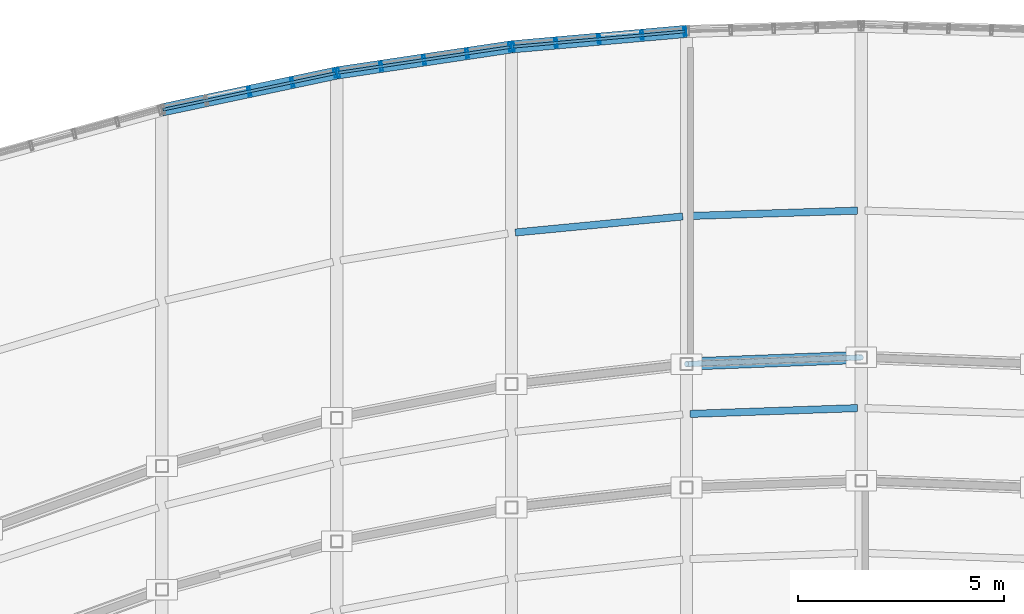
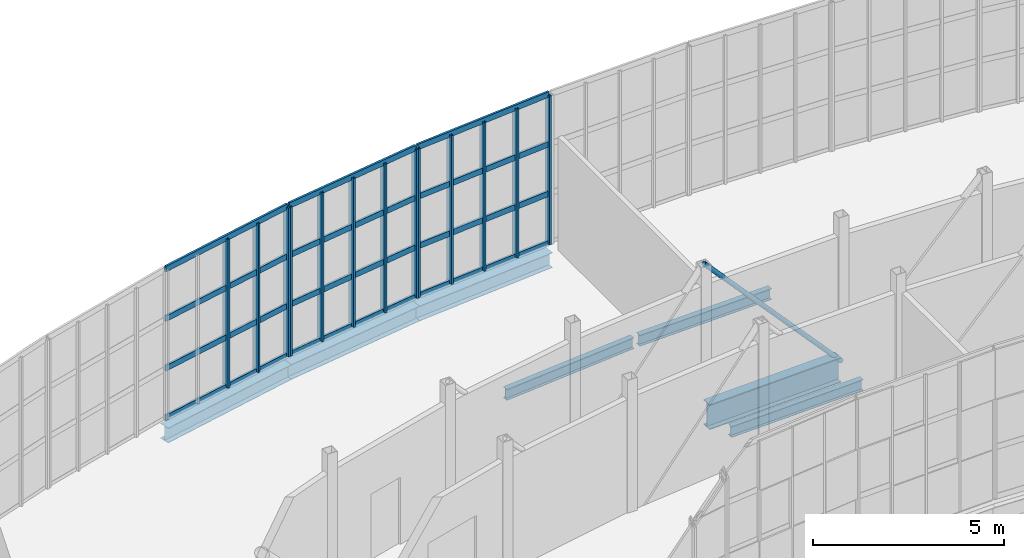
# One storey, part 27 of 46: 26 members, 7 beams, 3 elements without a shape of their own.
"""IFC4 building model written with IfcOpenShell, lengths in metres."""

from ifc_helpers import new_model, si_unit, direction, frame, origin, origin_2d, place, context, subcontext, project, spatial, hollow_rectangle, hollow_circle, i_section, extrude, material, material_profile, profile_set, type_object, element, aggregate, save


model = new_model("IFC4")

# Units and contexts
model_context = context("Model", 3, precision=1e-05, world=origin(), true_north=direction((0.0, 1.0)))
body_context = subcontext(model_context, "Body", "Model", "MODEL_VIEW")
ifc_project = project(units=[si_unit("LENGTHUNIT", "METRE"), si_unit("AREAUNIT", "SQUARE_METRE"), si_unit("VOLUMEUNIT", "CUBIC_METRE"), si_unit("PLANEANGLEUNIT", "RADIAN"), si_unit("MASSUNIT", "GRAM", prefix="KILO")], contexts=[model_context])

# Site, building, storey
site_placement = place(None, origin())
site = spatial("IfcSite", under=ifc_project, at=site_placement, CompositionType="ELEMENT")
building_placement = place(site_placement, origin())
building = spatial("IfcBuilding", under=site, at=building_placement, Name="Solvikara Media Centre", CompositionType="ELEMENT")
storey_placement = place(building_placement, frame((0.0, 0.0, 24.60009765625)))
storey = spatial("IfcBuildingStorey", under=building, at=storey_placement, Name="L05", CompositionType="ELEMENT", Elevation=24.60009765625)

# Beams
ifc_material_1 = material(Name="Steel S355JR", Category="steel")
ifc_material_profile_1 = material_profile(ifc_material_1, i_section(OverallWidth=0.300048828125, OverallDepth=0.800048828125, WebThickness=0.013916015625, FlangeThickness=0.02587890625, at=origin_2d()), Name="WF 800x300x14x26")
ifc_profile_set_1 = profile_set([ifc_material_profile_1], Name="Steel S355JR")
beam_type_1 = type_object("IfcBeamType", Name="BM-16", PredefinedType="BEAM", material=ifc_profile_set_1)
beam_1_placement = place(storey_placement, frame((97.840087890625, 33.258056640625, -0.6220703125), z_axis=(0.999266124753, 0.038304202383, 0.0), x_axis=(-0.038304202383, 0.999266124753, 0.0)))
element("IfcBeam", 1, at=beam_1_placement, inside=storey, type_object=beam_type_1, Name="B-L05-SPNN-05", PredefinedType="BEAM", context=body_context, shape_type="SweptSolid", body=[
    extrude(i_section(OverallWidth=0.300048828125, OverallDepth=0.800048828125, WebThickness=0.013916015625, FlangeThickness=0.02587890625, at=origin_2d()), origin(), (0.0, 0.0, 1.0), 4.07275390625),
])
ifc_material_profile_2 = material_profile(ifc_material_1, i_section(OverallWidth=0.175048828125, OverallDepth=0.35009765625, WebThickness=0.007080078125, FlangeThickness=0.010986328125, at=origin_2d()), Name="WF 350x175x7x11")
ifc_profile_set_2 = profile_set([ifc_material_profile_2], Name="Steel S355JR")
beam_type_2 = type_object("IfcBeamType", Name="BM-22", PredefinedType="JOIST", material=ifc_profile_set_2)
beam_2_placement = place(storey_placement, frame((93.590087890625, 36.451904296875, -0.397216796875), z_axis=(0.995436776487, 0.095423393451, 0.0), x_axis=(-0.095423393451, 0.995436776487, 0.0)))
element("IfcBeam", 2, at=beam_2_placement, inside=storey, type_object=beam_type_2, Name="BJ-L05-04-72", PredefinedType="JOIST", context=body_context, shape_type="SweptSolid", body=[
    extrude(i_section(OverallWidth=0.175048828125, OverallDepth=0.35009765625, WebThickness=0.007080078125, FlangeThickness=0.010986328125, at=origin_2d()), origin(), (0.0, 0.0, 1.0), 4.08837890625),
])
beam_3_placement = place(storey_placement, frame((97.840087890625, 32.04296875, -0.397216796875), z_axis=(0.999399430727, 0.034652241809, 0.0), x_axis=(-0.034652241809, 0.999399430727, 0.0)))
element("IfcBeam", 3, at=beam_3_placement, inside=storey, type_object=beam_type_2, Name="BJ-L05-05-42", PredefinedType="JOIST", context=body_context, shape_type="SweptSolid", body=[
    extrude(i_section(OverallWidth=0.175048828125, OverallDepth=0.35009765625, WebThickness=0.007080078125, FlangeThickness=0.010986328125, at=origin_2d()), origin(), (0.0, 0.0, 1.0), 4.072265625),
])
beam_4_placement = place(storey_placement, frame((97.840087890625, 36.85400390625, -0.397216796875), z_axis=(0.999491149174, 0.031897378006, 0.0), x_axis=(-0.031897378006, 0.999491149174, 0.0)))
element("IfcBeam", 4, at=beam_4_placement, inside=storey, type_object=beam_type_2, Name="BJ-L05-05-72", PredefinedType="JOIST", context=body_context, shape_type="SweptSolid", body=[
    extrude(i_section(OverallWidth=0.175048828125, OverallDepth=0.35009765625, WebThickness=0.007080078125, FlangeThickness=0.010986328125, at=origin_2d()), origin(), (0.0, 0.0, 1.0), 4.07177734375),
])
ifc_material_profile_3 = material_profile(ifc_material_1, i_section(OverallWidth=0.300048828125, OverallDepth=0.48193359375, WebThickness=0.010986328125, FlangeThickness=0.014892578125, at=origin_2d()), Name="WF 482x300x11x15")
ifc_profile_set_3 = profile_set([ifc_material_profile_3], Name="Steel S355JR")
beam_type_3 = type_object("IfcBeamType", Name="BM-32", PredefinedType="SPANDREL", material=ifc_profile_set_3)
beam_5_placement = place(storey_placement, frame((85.0, 39.430908203125, -0.463134765625), z_axis=(0.978389077526, 0.206772369957, 0.0), x_axis=(-0.206772369957, 0.978389077526, 0.0)))
element("IfcBeam", 5, at=beam_5_placement, inside=storey, type_object=beam_type_3, Name="B-L05-NARC-02", PredefinedType="SPANDREL", context=body_context, shape_type="SweptSolid", body=[
    extrude(i_section(OverallWidth=0.300048828125, OverallDepth=0.48193359375, WebThickness=0.010986328125, FlangeThickness=0.014892578125, at=origin_2d()), origin(), (0.0, 0.0, 1.0), 4.343994140625),
])
beam_6_placement = place(storey_placement, frame((89.25, 40.3291015625, -0.463134765625), z_axis=(0.989021203369, 0.147773675894, 0.0), x_axis=(-0.147773675894, 0.989021203369, 0.0)))
element("IfcBeam", 6, at=beam_6_placement, inside=storey, type_object=beam_type_3, Name="B-L05-NARC-03", PredefinedType="SPANDREL", context=body_context, shape_type="SweptSolid", body=[
    extrude(i_section(OverallWidth=0.300048828125, OverallDepth=0.48193359375, WebThickness=0.010986328125, FlangeThickness=0.014892578125, at=origin_2d()), origin(), (0.0, 0.0, 1.0), 4.297119140625),
])
beam_7_placement = place(storey_placement, frame((93.5, 40.964111328125, -0.463134765625), z_axis=(0.996089667749, 0.088348026597, 0.0), x_axis=(-0.088348026597, 0.996089667749, 0.0)))
element("IfcBeam", 7, at=beam_7_placement, inside=storey, type_object=beam_type_3, Name="B-L05-NARC-04", PredefinedType="SPANDREL", context=body_context, shape_type="SweptSolid", body=[
    extrude(i_section(OverallWidth=0.300048828125, OverallDepth=0.48193359375, WebThickness=0.010986328125, FlangeThickness=0.014892578125, at=origin_2d()), origin(), (0.0, 0.0, 1.0), 4.2666015625),
])

# Member
ifc_material_profile_4 = material_profile(ifc_material_1, hollow_circle(Radius=0.06982421875, WallThickness=0.00634765625, at=origin_2d()), Name="CHS 139.7x6.3")
ifc_profile_set_4 = profile_set([ifc_material_profile_4], Name="Steel S355JR")
member_type_1 = type_object("IfcMemberType", Name="MB-08", PredefinedType="BRACE", material=ifc_profile_set_4)
member_1_placement = place(storey_placement, frame((97.75, 33.2548828125, 4.25), z_axis=(0.670471987907, 0.025574069392, -0.741493951699), x_axis=(-0.038115664855, 0.999273334025, 0.0)))
element("IfcMember", 8, at=member_1_placement, inside=storey, type_object=member_type_1, Name="WTR-L05-N-DB05", PredefinedType="BRACE", context=body_context, shape_type="SweptSolid", body=[
    extrude(hollow_circle(Radius=0.06982421875, WallThickness=0.00634765625, at=origin_2d()), origin(), (0.0, 0.0, 1.0), 6.3388671875),
])

# Curtain wall, members
ifc_material_2 = material(Name="Anodised aluminium EN AW-6063", Category="aluminium")
curtain_wall_type = type_object("IfcCurtainWallType", Name="CW-02", PredefinedType="NOTDEFINED", material=ifc_material_2)
curtain_wall_1_placement = place(storey_placement, origin())
curtain_wall_1 = element("IfcCurtainWall", 9, at=curtain_wall_1_placement, inside=storey, type_object=curtain_wall_type, Name="CW-L05-NARC-02", PredefinedType="NOTDEFINED")
ifc_material_profile_5 = material_profile(ifc_material_2, hollow_rectangle(XDim=0.06494140625, YDim=0.219970703125, WallThickness=0.00390625, at=origin_2d()), Name="ALU-M 65x220x4")
ifc_profile_set_5 = profile_set([ifc_material_profile_5], Name="Anodised aluminium EN AW-6063")
member_type_2 = type_object("IfcMemberType", Name="MF-01", PredefinedType="MULLION", material=ifc_profile_set_5)
member_2_placement = place(storey_placement, frame((87.125, 39.8798828125, 0.02001953125), z_axis=(0.0, 0.0, 1.0), x_axis=(0.97837923005, 0.206818959981, 0.0)))
member_2 = element("IfcMember", 10, at=member_2_placement, type_object=member_type_2, Name="CW-L05-NARC-02-M02", PredefinedType="MULLION", context=body_context, shape_type="SweptSolid", body=[
    extrude(hollow_rectangle(XDim=0.06494140625, YDim=0.219970703125, WallThickness=0.00390625, at=origin_2d()), origin(), (0.0, 0.0, 1.0), 4.759765625),
])
member_3_placement = place(storey_placement, frame((88.1708984375, 40.10107421875, 0.02001953125), z_axis=(0.0, 0.0, 1.0), x_axis=(0.97837923005, 0.206818959981, 0.0)))
member_3 = element("IfcMember", 11, at=member_3_placement, type_object=member_type_2, Name="CW-L05-NARC-02-M03", PredefinedType="MULLION", context=body_context, shape_type="SweptSolid", body=[
    extrude(hollow_rectangle(XDim=0.06494140625, YDim=0.219970703125, WallThickness=0.00390625, at=origin_2d()), origin(), (0.0, 0.0, 1.0), 4.759765625),
])
member_4_placement = place(storey_placement, frame((89.216064453125, 40.322021484375, 0.02001953125), z_axis=(0.0, 0.0, 1.0), x_axis=(0.97837923005, 0.206818959981, 0.0)))
member_4 = element("IfcMember", 12, at=member_4_placement, type_object=member_type_2, Name="CW-L05-NARC-02-M04", PredefinedType="MULLION", context=body_context, shape_type="SweptSolid", body=[
    extrude(hollow_rectangle(XDim=0.06494140625, YDim=0.219970703125, WallThickness=0.00390625, at=origin_2d()), origin(), (0.0, 0.0, 1.0), 4.759765625),
])

curtain_wall_2_placement = place(storey_placement, origin())
curtain_wall_2 = element("IfcCurtainWall", 13, at=curtain_wall_2_placement, inside=storey, type_object=curtain_wall_type, Name="CW-L05-NARC-03", PredefinedType="NOTDEFINED")
member_5_placement = place(storey_placement, frame((89.284912109375, 40.333984375, 0.02001953125), z_axis=(0.0, 0.0, 1.0), x_axis=(0.989005541908, 0.147878457102, 0.0)))
member_5 = element("IfcMember", 14, at=member_5_placement, type_object=member_type_2, Name="CW-L05-NARC-03-M00", PredefinedType="MULLION", context=body_context, shape_type="SweptSolid", body=[
    extrude(hollow_rectangle(XDim=0.06494140625, YDim=0.219970703125, WallThickness=0.00390625, at=origin_2d()), origin(), (0.0, 0.0, 1.0), 4.759765625),
])
member_6_placement = place(storey_placement, frame((90.330078125, 40.489990234375, 0.02001953125), z_axis=(0.0, 0.0, 1.0), x_axis=(0.989005541908, 0.147878457102, 0.0)))
member_6 = element("IfcMember", 15, at=member_6_placement, type_object=member_type_2, Name="CW-L05-NARC-03-M01", PredefinedType="MULLION", context=body_context, shape_type="SweptSolid", body=[
    extrude(hollow_rectangle(XDim=0.06494140625, YDim=0.219970703125, WallThickness=0.00390625, at=origin_2d()), origin(), (0.0, 0.0, 1.0), 4.759765625),
])
member_7_placement = place(storey_placement, frame((91.375, 40.64599609375, 0.02001953125), z_axis=(0.0, 0.0, 1.0), x_axis=(0.989005541908, 0.147878457102, 0.0)))
member_7 = element("IfcMember", 16, at=member_7_placement, type_object=member_type_2, Name="CW-L05-NARC-03-M02", PredefinedType="MULLION", context=body_context, shape_type="SweptSolid", body=[
    extrude(hollow_rectangle(XDim=0.06494140625, YDim=0.219970703125, WallThickness=0.00390625, at=origin_2d()), origin(), (0.0, 0.0, 1.0), 4.759765625),
])
member_8_placement = place(storey_placement, frame((92.419921875, 40.802978515625, 0.02001953125), z_axis=(0.0, 0.0, 1.0), x_axis=(0.989005541908, 0.147878457102, 0.0)))
member_8 = element("IfcMember", 17, at=member_8_placement, type_object=member_type_2, Name="CW-L05-NARC-03-M03", PredefinedType="MULLION", context=body_context, shape_type="SweptSolid", body=[
    extrude(hollow_rectangle(XDim=0.06494140625, YDim=0.219970703125, WallThickness=0.00390625, at=origin_2d()), origin(), (0.0, 0.0, 1.0), 4.759765625),
])
member_9_placement = place(storey_placement, frame((93.465087890625, 40.958984375, 0.02001953125), z_axis=(0.0, 0.0, 1.0), x_axis=(0.989005541908, 0.147878457102, 0.0)))
member_9 = element("IfcMember", 18, at=member_9_placement, type_object=member_type_2, Name="CW-L05-NARC-03-M04", PredefinedType="MULLION", context=body_context, shape_type="SweptSolid", body=[
    extrude(hollow_rectangle(XDim=0.06494140625, YDim=0.219970703125, WallThickness=0.00390625, at=origin_2d()), origin(), (0.0, 0.0, 1.0), 4.759765625),
])

curtain_wall_3_placement = place(storey_placement, origin())
curtain_wall_3 = element("IfcCurtainWall", 19, at=curtain_wall_3_placement, inside=storey, type_object=curtain_wall_type, Name="CW-L05-NARC-04", PredefinedType="NOTDEFINED")
member_10_placement = place(storey_placement, frame((93.534912109375, 40.967041015625, 0.02001953125), z_axis=(0.0, 0.0, 1.0), x_axis=(0.99608438842, 0.088407528781, 0.0)))
member_10 = element("IfcMember", 20, at=member_10_placement, type_object=member_type_2, Name="CW-L05-NARC-04-M00", PredefinedType="MULLION", context=body_context, shape_type="SweptSolid", body=[
    extrude(hollow_rectangle(XDim=0.06494140625, YDim=0.219970703125, WallThickness=0.00390625, at=origin_2d()), origin(), (0.0, 0.0, 1.0), 4.759765625),
])
member_11_placement = place(storey_placement, frame((94.580078125, 41.06005859375, 0.02001953125), z_axis=(0.0, 0.0, 1.0), x_axis=(0.99608438842, 0.088407528781, 0.0)))
member_11 = element("IfcMember", 21, at=member_11_placement, type_object=member_type_2, Name="CW-L05-NARC-04-M01", PredefinedType="MULLION", context=body_context, shape_type="SweptSolid", body=[
    extrude(hollow_rectangle(XDim=0.06494140625, YDim=0.219970703125, WallThickness=0.00390625, at=origin_2d()), origin(), (0.0, 0.0, 1.0), 4.759765625),
])
member_12_placement = place(storey_placement, frame((95.625, 41.152099609375, 0.02001953125), z_axis=(0.0, 0.0, 1.0), x_axis=(0.99608438842, 0.088407528781, 0.0)))
member_12 = element("IfcMember", 22, at=member_12_placement, type_object=member_type_2, Name="CW-L05-NARC-04-M02", PredefinedType="MULLION", context=body_context, shape_type="SweptSolid", body=[
    extrude(hollow_rectangle(XDim=0.06494140625, YDim=0.219970703125, WallThickness=0.00390625, at=origin_2d()), origin(), (0.0, 0.0, 1.0), 4.759765625),
])
member_13_placement = place(storey_placement, frame((96.669921875, 41.2451171875, 0.02001953125), z_axis=(0.0, 0.0, 1.0), x_axis=(0.99608438842, 0.088407528781, 0.0)))
member_13 = element("IfcMember", 23, at=member_13_placement, type_object=member_type_2, Name="CW-L05-NARC-04-M03", PredefinedType="MULLION", context=body_context, shape_type="SweptSolid", body=[
    extrude(hollow_rectangle(XDim=0.06494140625, YDim=0.219970703125, WallThickness=0.00390625, at=origin_2d()), origin(), (0.0, 0.0, 1.0), 4.759765625),
])
member_14_placement = place(storey_placement, frame((97.715087890625, 41.337890625, 0.02001953125), z_axis=(0.0, 0.0, 1.0), x_axis=(0.99608438842, 0.088407528781, 0.0)))
member_14 = element("IfcMember", 24, at=member_14_placement, type_object=member_type_2, Name="CW-L05-NARC-04-M04", PredefinedType="MULLION", context=body_context, shape_type="SweptSolid", body=[
    extrude(hollow_rectangle(XDim=0.06494140625, YDim=0.219970703125, WallThickness=0.00390625, at=origin_2d()), origin(), (0.0, 0.0, 1.0), 4.759765625),
])

# Member
ifc_material_profile_6 = material_profile(ifc_material_2, hollow_rectangle(XDim=0.06494140625, YDim=0.179931640625, WallThickness=0.00341796875, at=origin_2d()), Name="ALU-T 65x180x3.5")
ifc_profile_set_6 = profile_set([ifc_material_profile_6], Name="Anodised aluminium EN AW-6063")
member_type_3 = type_object("IfcMemberType", Name="MF-07", PredefinedType="USERDEFINED", material=ifc_profile_set_6)
member_15_placement = place(storey_placement, frame((85.033935546875, 39.43798828125, 0.02001953125), z_axis=(0.978380382842, 0.206813506496, 0.0), x_axis=(-0.206813506496, 0.978380382842, 0.0)))
member_15 = element("IfcMember", 25, at=member_15_placement, type_object=member_type_3, Name="CW-L05-NARC-02-T00", ObjectType="TRANSOM", PredefinedType="USERDEFINED", context=body_context, shape_type="SweptSolid", body=[
    extrude(hollow_rectangle(XDim=0.06494140625, YDim=0.179931640625, WallThickness=0.00341796875, at=origin_2d()), origin(), (0.0, 0.0, 1.0), 4.274658203125),
])

member_16_placement = place(storey_placement, frame((85.033935546875, 39.43798828125, 1.60693359375), z_axis=(0.978380382842, 0.206813506496, 0.0), x_axis=(-0.206813506496, 0.978380382842, 0.0)))
member_16 = element("IfcMember", 26, at=member_16_placement, type_object=member_type_3, Name="CW-L05-NARC-02-T01", ObjectType="TRANSOM", PredefinedType="USERDEFINED", context=body_context, shape_type="SweptSolid", body=[
    extrude(hollow_rectangle(XDim=0.06494140625, YDim=0.179931640625, WallThickness=0.00341796875, at=origin_2d()), origin(), (0.0, 0.0, 1.0), 4.274658203125),
])

member_17_placement = place(storey_placement, frame((85.033935546875, 39.43798828125, 3.19287109375), z_axis=(0.978380382842, 0.206813506496, 0.0), x_axis=(-0.206813506496, 0.978380382842, 0.0)))
member_17 = element("IfcMember", 27, at=member_17_placement, type_object=member_type_3, Name="CW-L05-NARC-02-T02", ObjectType="TRANSOM", PredefinedType="USERDEFINED", context=body_context, shape_type="SweptSolid", body=[
    extrude(hollow_rectangle(XDim=0.06494140625, YDim=0.179931640625, WallThickness=0.00341796875, at=origin_2d()), origin(), (0.0, 0.0, 1.0), 4.274658203125),
])

member_18_placement = place(storey_placement, frame((85.033935546875, 39.43798828125, 4.77978515625), z_axis=(0.978380382842, 0.206813506496, 0.0), x_axis=(-0.206813506496, 0.978380382842, 0.0)))
member_18 = element("IfcMember", 28, at=member_18_placement, type_object=member_type_3, Name="CW-L05-NARC-02-T03", ObjectType="TRANSOM", PredefinedType="USERDEFINED", context=body_context, shape_type="SweptSolid", body=[
    extrude(hollow_rectangle(XDim=0.06494140625, YDim=0.179931640625, WallThickness=0.00341796875, at=origin_2d()), origin(), (0.0, 0.0, 1.0), 4.274658203125),
])

aggregate(curtain_wall_1, [member_2, member_3, member_4, member_15, member_16, member_17, member_18])

member_19_placement = place(storey_placement, frame((89.284912109375, 40.333984375, 0.02001953125), z_axis=(0.989006573352, 0.147871558684, 0.0), x_axis=(-0.147871558684, 0.989006573352, 0.0)))
member_19 = element("IfcMember", 29, at=member_19_placement, type_object=member_type_3, Name="CW-L05-NARC-03-T00", ObjectType="TRANSOM", PredefinedType="USERDEFINED", context=body_context, shape_type="SweptSolid", body=[
    extrude(hollow_rectangle(XDim=0.06494140625, YDim=0.179931640625, WallThickness=0.00341796875, at=origin_2d()), origin(), (0.0, 0.0, 1.0), 4.2265625),
])

member_20_placement = place(storey_placement, frame((89.284912109375, 40.333984375, 1.60693359375), z_axis=(0.989006573352, 0.147871558684, 0.0), x_axis=(-0.147871558684, 0.989006573352, 0.0)))
member_20 = element("IfcMember", 30, at=member_20_placement, type_object=member_type_3, Name="CW-L05-NARC-03-T01", ObjectType="TRANSOM", PredefinedType="USERDEFINED", context=body_context, shape_type="SweptSolid", body=[
    extrude(hollow_rectangle(XDim=0.06494140625, YDim=0.179931640625, WallThickness=0.00341796875, at=origin_2d()), origin(), (0.0, 0.0, 1.0), 4.2265625),
])

member_21_placement = place(storey_placement, frame((89.284912109375, 40.333984375, 3.19287109375), z_axis=(0.989006573352, 0.147871558684, 0.0), x_axis=(-0.147871558684, 0.989006573352, 0.0)))
member_21 = element("IfcMember", 31, at=member_21_placement, type_object=member_type_3, Name="CW-L05-NARC-03-T02", ObjectType="TRANSOM", PredefinedType="USERDEFINED", context=body_context, shape_type="SweptSolid", body=[
    extrude(hollow_rectangle(XDim=0.06494140625, YDim=0.179931640625, WallThickness=0.00341796875, at=origin_2d()), origin(), (0.0, 0.0, 1.0), 4.2265625),
])

member_22_placement = place(storey_placement, frame((89.284912109375, 40.333984375, 4.77978515625), z_axis=(0.989006573352, 0.147871558684, 0.0), x_axis=(-0.147871558684, 0.989006573352, 0.0)))
member_22 = element("IfcMember", 32, at=member_22_placement, type_object=member_type_3, Name="CW-L05-NARC-03-T03", ObjectType="TRANSOM", PredefinedType="USERDEFINED", context=body_context, shape_type="SweptSolid", body=[
    extrude(hollow_rectangle(XDim=0.06494140625, YDim=0.179931640625, WallThickness=0.00341796875, at=origin_2d()), origin(), (0.0, 0.0, 1.0), 4.2265625),
])

aggregate(curtain_wall_2, [member_5, member_6, member_7, member_8, member_9, member_19, member_20, member_21, member_22])

member_23_placement = place(storey_placement, frame((93.534912109375, 40.967041015625, 0.02001953125), z_axis=(0.996087790013, 0.08836919478, 0.0), x_axis=(-0.08836919478, 0.996087790013, 0.0)))
member_23 = element("IfcMember", 33, at=member_23_placement, type_object=member_type_3, Name="CW-L05-NARC-04-T00", ObjectType="TRANSOM", PredefinedType="USERDEFINED", context=body_context, shape_type="SweptSolid", body=[
    extrude(hollow_rectangle(XDim=0.06494140625, YDim=0.179931640625, WallThickness=0.00341796875, at=origin_2d()), origin(), (0.0, 0.0, 1.0), 4.196533203125),
])

member_24_placement = place(storey_placement, frame((93.534912109375, 40.967041015625, 1.60693359375), z_axis=(0.996087790013, 0.08836919478, 0.0), x_axis=(-0.08836919478, 0.996087790013, 0.0)))
member_24 = element("IfcMember", 34, at=member_24_placement, type_object=member_type_3, Name="CW-L05-NARC-04-T01", ObjectType="TRANSOM", PredefinedType="USERDEFINED", context=body_context, shape_type="SweptSolid", body=[
    extrude(hollow_rectangle(XDim=0.06494140625, YDim=0.179931640625, WallThickness=0.00341796875, at=origin_2d()), origin(), (0.0, 0.0, 1.0), 4.196533203125),
])

member_25_placement = place(storey_placement, frame((93.534912109375, 40.967041015625, 3.19287109375), z_axis=(0.996087790013, 0.08836919478, 0.0), x_axis=(-0.08836919478, 0.996087790013, 0.0)))
member_25 = element("IfcMember", 35, at=member_25_placement, type_object=member_type_3, Name="CW-L05-NARC-04-T02", ObjectType="TRANSOM", PredefinedType="USERDEFINED", context=body_context, shape_type="SweptSolid", body=[
    extrude(hollow_rectangle(XDim=0.06494140625, YDim=0.179931640625, WallThickness=0.00341796875, at=origin_2d()), origin(), (0.0, 0.0, 1.0), 4.196533203125),
])

member_26_placement = place(storey_placement, frame((93.534912109375, 40.967041015625, 4.77978515625), z_axis=(0.996087790013, 0.08836919478, 0.0), x_axis=(-0.08836919478, 0.996087790013, 0.0)))
member_26 = element("IfcMember", 36, at=member_26_placement, type_object=member_type_3, Name="CW-L05-NARC-04-T03", ObjectType="TRANSOM", PredefinedType="USERDEFINED", context=body_context, shape_type="SweptSolid", body=[
    extrude(hollow_rectangle(XDim=0.06494140625, YDim=0.179931640625, WallThickness=0.00341796875, at=origin_2d()), origin(), (0.0, 0.0, 1.0), 4.196533203125),
])

aggregate(curtain_wall_3, [member_10, member_11, member_12, member_13, member_14, member_23, member_24, member_25, member_26])

save(model, "model.ifc")
